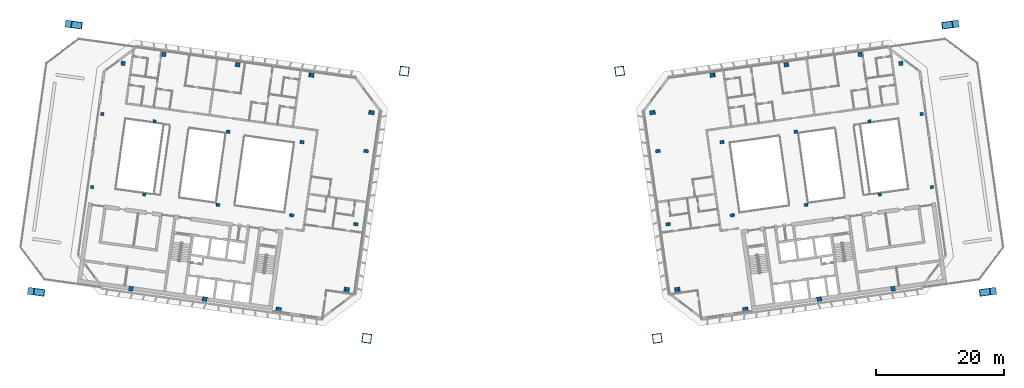
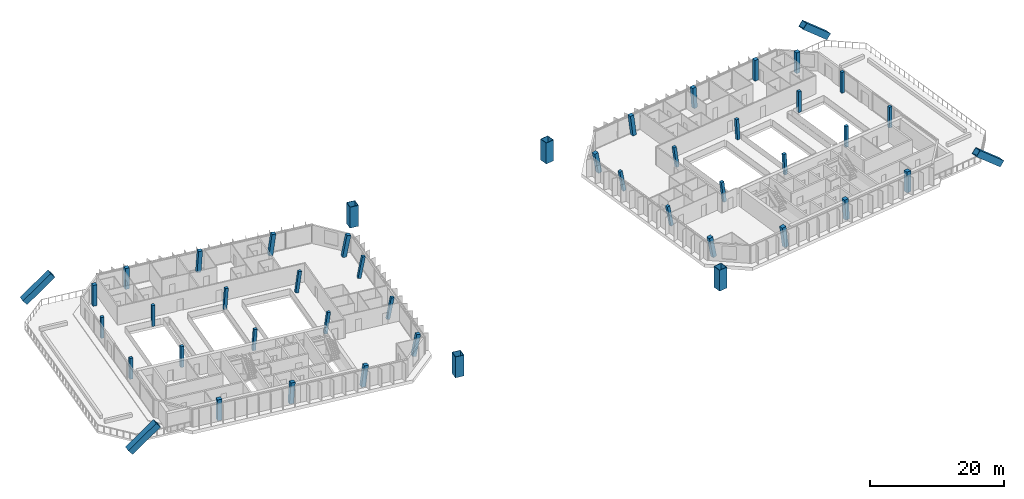
# One storey, part 1 of 19: 46 columns.
"""IFC4 building model written with IfcOpenShell, lengths in metres."""

from ifc_helpers import new_model, si_unit, direction, frame, origin, origin_2d, place, context, subcontext, project, spatial, rectangle, hollow_rectangle, extrude, material, material_profile, profile_set, type_object, element, save


model = new_model("IFC4")

# Units and contexts
model_context = context("Model", 3, precision=1e-05, world=origin(), true_north=direction((0.0, 1.0)))
body_context = subcontext(model_context, "Body", "Model", "MODEL_VIEW")
ifc_project = project(units=[si_unit("LENGTHUNIT", "METRE"), si_unit("AREAUNIT", "SQUARE_METRE"), si_unit("VOLUMEUNIT", "CUBIC_METRE"), si_unit("PLANEANGLEUNIT", "RADIAN"), si_unit("MASSUNIT", "GRAM", prefix="KILO")], contexts=[model_context])

# Site, building, storey
site_placement = place(None, origin())
site = spatial("IfcSite", under=ifc_project, at=site_placement, CompositionType="ELEMENT")
building_placement = place(site_placement, origin())
building = spatial("IfcBuilding", under=site, at=building_placement, Name="Mirante Cascada Hotel Towers", CompositionType="ELEMENT")
storey_placement = place(building_placement, frame((0.0, 0.0, 231.8)))
storey = spatial("IfcBuildingStorey", under=building, at=storey_placement, Name="L55", CompositionType="ELEMENT", Elevation=231.8)

# Columns
ifc_material_1 = material(Name="Steel ASTM A572 Gr 50", Category="steel")
ifc_material_profile_1 = material_profile(ifc_material_1, hollow_rectangle(XDim=1.1, YDim=1.1, WallThickness=0.05, at=origin_2d()), Name="Box column 1100x1100x50 ASTM A572 Gr 50")
ifc_profile_set_1 = profile_set([ifc_material_profile_1], Name="Steel ASTM A572 Gr 50")
column_type_1 = type_object("IfcColumnType", Name="Box column 1100x1100x50 ASTM A572 Gr 50", PredefinedType="COLUMN", material=ifc_profile_set_1)
for number, where, z_axis, x_axis, name in (
    (1, (-69.1638, 24.7105, 0.0), (0.7565937, -0.106336, 0.6451811), (0.1391779, 0.9902674, 0.0), "Mega column MC3 T1 L55"),
    (2, (-75.009, -16.8808, 0.0), (0.7565937, -0.106336, 0.6451811), (0.1391779, 0.9902674, 0.0), "Mega column MC4 T1 L55"),
    (3, (69.1638, 24.7105, 0.0), (-0.7565937, -0.106336, 0.6451811), (0.1391779, -0.9902674, 0.0), "Mega column MC3 T2 L55"),
    (4, (75.009, -16.8808, 0.0), (-0.7565937, -0.106336, 0.6451811), (0.1391779, -0.9902674, 0.0), "Mega column MC4 T2 L55"),
):
    element("IfcColumn", number, at=place(storey_placement, frame(where, z_axis=z_axis, x_axis=x_axis)), inside=storey, type_object=column_type_1, Name=name, PredefinedType="COLUMN", context=body_context, shape_type="SweptSolid", body=[
        extrude(hollow_rectangle(XDim=1.1, YDim=1.1, WallThickness=0.05, at=origin_2d()), origin(), (0.0, 0.0, 1.0), 5.8898),
    ])
ifc_material_2 = material(Name="Steel ASTM A572 Gr 50", Category="steel")
ifc_material_profile_2 = material_profile(ifc_material_2, hollow_rectangle(XDim=1.4, YDim=1.4, WallThickness=0.06, at=origin_2d()), Name="Box column 1400x1400x60 ASTM A572 Gr 50")
ifc_profile_set_2 = profile_set([ifc_material_profile_2], Name="Steel ASTM A572 Gr 50")
column_type_2 = type_object("IfcColumnType", Name="Box column 1400x1400x60 ASTM A572 Gr 50", PredefinedType="COLUMN", material=ifc_profile_set_2)
for number, where, z_axis, x_axis, name in (
    (5, (-16.7602, 17.3456, 0.0), (0.0, 0.0, 1.0), (-0.9902681, 0.1391731, 0.0), "Mega column MC1 T1 L55"),
    (6, (-22.6055, -24.2456, 0.0), (0.0, 0.0, 1.0), (-0.9902681, 0.1391731, 0.0), "Mega column MC2 T1 L55"),
    (7, (16.7602, 17.3456, 0.0), (0.0, 0.0, 1.0), (0.9902681, 0.1391731, 0.0), "Mega column MC1 T2 L55"),
    (8, (22.6055, -24.2456, 0.0), (0.0, 0.0, 1.0), (0.9902681, 0.1391731, 0.0), "Mega column MC2 T2 L55"),
):
    element("IfcColumn", number, at=place(storey_placement, frame(where, z_axis=z_axis, x_axis=x_axis)), inside=storey, type_object=column_type_2, Name=name, PredefinedType="COLUMN", context=body_context, shape_type="SweptSolid", body=[
        extrude(hollow_rectangle(XDim=1.4, YDim=1.4, WallThickness=0.06, at=origin_2d()), origin(), (0.0, 0.0, 1.0), 3.8),
    ])
ifc_material_3 = material(Name="Concrete C50/60", Category="concrete")
ifc_material_profile_3 = material_profile(ifc_material_3, rectangle(XDim=0.5, YDim=0.5, at=origin_2d()), Name="RC column 500x500 C50/60")
ifc_profile_set_3 = profile_set([ifc_material_profile_3], Name="Concrete C50/60")
column_type_3 = type_object("IfcColumnType", Name="RC column 500x500 C50/60", PredefinedType="COLUMN", material=ifc_profile_set_3)
for number, where, z_axis, x_axis, name in (
    (9, (-22.8282, 4.9192, 0.0039), (0.1846925, -0.025959, 0.9824535), (0.1391846, 0.9902665, 0.0), "Column T1 L55 2"),
    (10, (-24.4287, -6.4689, 0.0039), (0.1846925, -0.025959, 0.9824535), (0.1391846, 0.9902665, 0.0), "Column T1 L55 3"),
):
    element("IfcColumn", number, at=place(storey_placement, frame(where, z_axis=z_axis, x_axis=x_axis)), inside=storey, type_object=column_type_3, Name=name, PredefinedType="COLUMN", context=body_context, shape_type="SweptSolid", body=[
        extrude(rectangle(XDim=0.5, YDim=0.5, at=origin_2d()), origin(), (0.0, 0.0, 1.0), 3.8599),
    ])
for number, where, z_axis, x_axis, name in (
    (11, (-32.7626, 6.3154, 0.004), (0.1306773, -0.0183769, 0.9912546), (0.1392579, 0.9902562, 0.0), "Column T1 L55 6"),
    (12, (-34.3631, -5.0727, 0.004), (0.1306773, -0.0183508, 0.9912551), (0.1390636, 0.9902835, 0.0), "Column T1 L55 7"),
):
    element("IfcColumn", number, at=place(storey_placement, frame(where, z_axis=z_axis, x_axis=x_axis)), inside=storey, type_object=column_type_3, Name=name, PredefinedType="COLUMN", context=body_context, shape_type="SweptSolid", body=[
        extrude(rectangle(XDim=0.5, YDim=0.5, at=origin_2d()), origin(), (0.0, 0.0, 1.0), 3.8255),
    ])
for number, where, z_axis, x_axis, name in (
    (13, (-44.2037, 7.9233, 0.004), (0.0657826, -0.0092359, 0.9977912), (0.1390363, 0.9902873, 0.0), "Column T1 L55 10"),
    (14, (-45.8042, -3.4647, 0.004), (0.0657826, -0.0092622, 0.997791), (0.1394248, 0.9902327, 0.0), "Column T1 L55 11"),
):
    element("IfcColumn", number, at=place(storey_placement, frame(where, z_axis=z_axis, x_axis=x_axis)), inside=storey, type_object=column_type_3, Name=name, PredefinedType="COLUMN", context=body_context, shape_type="SweptSolid", body=[
        extrude(rectangle(XDim=0.5, YDim=0.5, at=origin_2d()), origin(), (0.0, 0.0, 1.0), 3.8004),
    ])
for number, where, z_axis, x_axis, name in (
    (15, (-55.6447, 9.5313, 0.0), (0.0, 0.0, 1.0), (-0.9902681, 0.1391731, 0.0), "Column T1 L55 14"),
    (16, (-57.2452, -1.8568, 0.0), (0.0, 0.0, 1.0), (-0.9902681, 0.1391731, 0.0), "Column T1 L55 15"),
    (17, (-63.7649, 10.6725, 0.0), (0.0, 0.0, 1.0), (-0.9902681, 0.1391731, 0.0), "Column T1 L55 18"),
    (18, (-65.3654, -0.7156, 0.0), (0.0, 0.0, 1.0), (-0.9902681, 0.1391731, 0.0), "Column T1 L55 19"),
):
    element("IfcColumn", number, at=place(storey_placement, frame(where, z_axis=z_axis, x_axis=x_axis)), inside=storey, type_object=column_type_3, Name=name, PredefinedType="COLUMN", context=body_context, shape_type="SweptSolid", body=[
        extrude(rectangle(XDim=0.5, YDim=0.5, at=origin_2d()), origin(), (0.0, 0.0, 1.0), 3.8),
    ])
for number, where, z_axis, x_axis, name in (
    (19, (22.8282, 4.9192, 0.0039), (-0.1846925, -0.025959, 0.9824535), (0.1391846, -0.9902665, 0.0), "Column T2 L55 2"),
    (20, (24.4287, -6.4689, 0.0039), (-0.1846925, -0.025959, 0.9824535), (0.1391846, -0.9902665, 0.0), "Column T2 L55 3"),
):
    element("IfcColumn", number, at=place(storey_placement, frame(where, z_axis=z_axis, x_axis=x_axis)), inside=storey, type_object=column_type_3, Name=name, PredefinedType="COLUMN", context=body_context, shape_type="SweptSolid", body=[
        extrude(rectangle(XDim=0.5, YDim=0.5, at=origin_2d()), origin(), (0.0, 0.0, 1.0), 3.8599),
    ])
for number, where, z_axis, x_axis, name in (
    (21, (32.7626, 6.3154, 0.004), (-0.1306773, -0.0183769, 0.9912546), (0.1392579, -0.9902562, 0.0), "Column T2 L55 6"),
    (22, (34.3631, -5.0727, 0.004), (-0.1306773, -0.0183508, 0.9912551), (0.1390636, -0.9902835, 0.0), "Column T2 L55 7"),
):
    element("IfcColumn", number, at=place(storey_placement, frame(where, z_axis=z_axis, x_axis=x_axis)), inside=storey, type_object=column_type_3, Name=name, PredefinedType="COLUMN", context=body_context, shape_type="SweptSolid", body=[
        extrude(rectangle(XDim=0.5, YDim=0.5, at=origin_2d()), origin(), (0.0, 0.0, 1.0), 3.8255),
    ])
for number, where, z_axis, x_axis, name in (
    (23, (44.2037, 7.9233, 0.004), (-0.0657826, -0.0092359, 0.9977912), (0.1390363, -0.9902873, 0.0), "Column T2 L55 10"),
    (24, (45.8042, -3.4647, 0.004), (-0.0657826, -0.0092622, 0.997791), (0.1394248, -0.9902327, 0.0), "Column T2 L55 11"),
):
    element("IfcColumn", number, at=place(storey_placement, frame(where, z_axis=z_axis, x_axis=x_axis)), inside=storey, type_object=column_type_3, Name=name, PredefinedType="COLUMN", context=body_context, shape_type="SweptSolid", body=[
        extrude(rectangle(XDim=0.5, YDim=0.5, at=origin_2d()), origin(), (0.0, 0.0, 1.0), 3.8004),
    ])
for number, where, z_axis, x_axis, name in (
    (25, (55.6447, 9.5313, 0.0), (0.0, 0.0, 1.0), (0.9902681, 0.1391731, 0.0), "Column T2 L55 14"),
    (26, (57.2452, -1.8568, 0.0), (0.0, 0.0, 1.0), (0.9902681, 0.1391731, 0.0), "Column T2 L55 15"),
    (27, (63.7649, 10.6725, 0.0), (0.0, 0.0, 1.0), (0.9902681, 0.1391731, 0.0), "Column T2 L55 18"),
    (28, (65.3654, -0.7156, 0.0), (0.0, 0.0, 1.0), (0.9902681, 0.1391731, 0.0), "Column T2 L55 19"),
):
    element("IfcColumn", number, at=place(storey_placement, frame(where, z_axis=z_axis, x_axis=x_axis)), inside=storey, type_object=column_type_3, Name=name, PredefinedType="COLUMN", context=body_context, shape_type="SweptSolid", body=[
        extrude(rectangle(XDim=0.5, YDim=0.5, at=origin_2d()), origin(), (0.0, 0.0, 1.0), 3.8),
    ])
ifc_material_4 = material(Name="Concrete C50/60", Category="concrete")
ifc_material_profile_4 = material_profile(ifc_material_4, rectangle(XDim=0.65, YDim=0.65, at=origin_2d()), Name="RC column 650x650 C50/60")
ifc_profile_set_4 = profile_set([ifc_material_profile_4], Name="Concrete C50/60")
column_type_4 = type_object("IfcColumnType", Name="RC column 650x650 C50/60", PredefinedType="COLUMN", material=ifc_profile_set_4)
for number, where, z_axis, x_axis, name in (
    (29, (-21.9862, 10.9103, 0.0039), (0.1846925, -0.025959, 0.9824535), (0.1391846, 0.9902665, 0.0), "Column T1 L55 1"),
    (30, (-25.8552, -16.6191, 0.0039), (0.1846925, -0.025959, 0.9824535), (0.1391846, 0.9902665, 0.0), "Column T1 L55 4"),
):
    element("IfcColumn", number, at=place(storey_placement, frame(where, z_axis=z_axis, x_axis=x_axis)), inside=storey, type_object=column_type_4, Name=name, PredefinedType="COLUMN", context=body_context, shape_type="SweptSolid", body=[
        extrude(rectangle(XDim=0.65, YDim=0.65, at=origin_2d()), origin(), (0.0, 0.0, 1.0), 3.8599),
    ])
column_1_placement = place(storey_placement, frame((-31.2978, 16.738, 0.004), z_axis=(0.1306773, -0.0183769, 0.9912546), x_axis=(0.1392579, 0.9902562, 0.0)))
element("IfcColumn", 31, at=column_1_placement, inside=storey, type_object=column_type_4, Name="Column T1 L55 5", PredefinedType="COLUMN", context=body_context, shape_type="SweptSolid", body=[
    extrude(rectangle(XDim=0.65, YDim=0.65, at=origin_2d()), origin(), (0.0, 0.0, 1.0), 3.8255),
])
column_2_placement = place(storey_placement, frame((-42.7389, 18.3459, 0.004), z_axis=(0.0657826, -0.0092359, 0.9977912), x_axis=(0.1390363, 0.9902873, 0.0)))
element("IfcColumn", 32, at=column_2_placement, inside=storey, type_object=column_type_4, Name="Column T1 L55 9", PredefinedType="COLUMN", context=body_context, shape_type="SweptSolid", body=[
    extrude(rectangle(XDim=0.65, YDim=0.65, at=origin_2d()), origin(), (0.0, 0.0, 1.0), 3.8004),
])
for number, where, z_axis, x_axis, name in (
    (33, (-54.1799, 19.9538, 0.0), (0.0, 0.0, 1.0), (-0.9902681, 0.1391731, 0.0), "Column T1 L55 13"),
    (34, (-60.5372, 18.5499, 0.0), (0.0, 0.0, 1.0), (-0.9902681, 0.1391731, 0.0), "Column T1 L55 17"),
):
    element("IfcColumn", number, at=place(storey_placement, frame(where, z_axis=z_axis, x_axis=x_axis)), inside=storey, type_object=column_type_4, Name=name, PredefinedType="COLUMN", context=body_context, shape_type="SweptSolid", body=[
        extrude(rectangle(XDim=0.65, YDim=0.65, at=origin_2d()), origin(), (0.0, 0.0, 1.0), 3.8),
    ])
for number, where, z_axis, x_axis, name in (
    (35, (21.9862, 10.9103, 0.0039), (-0.1846925, -0.025959, 0.9824535), (0.1391846, -0.9902665, 0.0), "Column T2 L55 1"),
    (36, (25.8552, -16.6191, 0.0039), (-0.1846925, -0.025959, 0.9824535), (0.1391846, -0.9902665, 0.0), "Column T2 L55 4"),
):
    element("IfcColumn", number, at=place(storey_placement, frame(where, z_axis=z_axis, x_axis=x_axis)), inside=storey, type_object=column_type_4, Name=name, PredefinedType="COLUMN", context=body_context, shape_type="SweptSolid", body=[
        extrude(rectangle(XDim=0.65, YDim=0.65, at=origin_2d()), origin(), (0.0, 0.0, 1.0), 3.8599),
    ])
column_3_placement = place(storey_placement, frame((31.2978, 16.738, 0.004), z_axis=(-0.1306773, -0.0183769, 0.9912546), x_axis=(0.1392579, -0.9902562, 0.0)))
element("IfcColumn", 37, at=column_3_placement, inside=storey, type_object=column_type_4, Name="Column T2 L55 5", PredefinedType="COLUMN", context=body_context, shape_type="SweptSolid", body=[
    extrude(rectangle(XDim=0.65, YDim=0.65, at=origin_2d()), origin(), (0.0, 0.0, 1.0), 3.8255),
])
column_4_placement = place(storey_placement, frame((42.7389, 18.3459, 0.004), z_axis=(-0.0657826, -0.0092359, 0.9977912), x_axis=(0.1390363, -0.9902873, 0.0)))
element("IfcColumn", 38, at=column_4_placement, inside=storey, type_object=column_type_4, Name="Column T2 L55 9", PredefinedType="COLUMN", context=body_context, shape_type="SweptSolid", body=[
    extrude(rectangle(XDim=0.65, YDim=0.65, at=origin_2d()), origin(), (0.0, 0.0, 1.0), 3.8004),
])
for number, where, z_axis, x_axis, name in (
    (39, (54.1799, 19.9538, 0.0), (0.0, 0.0, 1.0), (0.9902681, 0.1391731, 0.0), "Column T2 L55 13"),
    (40, (60.5372, 18.5499, 0.0), (0.0, 0.0, 1.0), (0.9902681, 0.1391731, 0.0), "Column T2 L55 17"),
):
    element("IfcColumn", number, at=place(storey_placement, frame(where, z_axis=z_axis, x_axis=x_axis)), inside=storey, type_object=column_type_4, Name=name, PredefinedType="COLUMN", context=body_context, shape_type="SweptSolid", body=[
        extrude(rectangle(XDim=0.65, YDim=0.65, at=origin_2d()), origin(), (0.0, 0.0, 1.0), 3.8),
    ])
ifc_material_5 = material(Name="Concrete C50/60", Category="concrete")
ifc_material_profile_5 = material_profile(ifc_material_5, rectangle(XDim=0.7, YDim=0.7, at=origin_2d()), Name="RC column 700x700 C50/60")
ifc_profile_set_5 = profile_set([ifc_material_profile_5], Name="Concrete C50/60")
column_type_5 = type_object("IfcColumnType", Name="RC column 700x700 C50/60", PredefinedType="COLUMN", material=ifc_profile_set_5)
column_5_placement = place(storey_placement, frame((-36.4229, -19.7286, 0.004), z_axis=(0.130703, -0.0183768, 0.9912512), x_axis=(0.1392306, 0.99026, 0.0)))
element("IfcColumn", 41, at=column_5_placement, inside=storey, type_object=column_type_5, Name="Column T1 L55 8", PredefinedType="COLUMN", context=body_context, shape_type="SweptSolid", body=[
    extrude(rectangle(XDim=0.7, YDim=0.7, at=origin_2d()), origin(), (0.0, 0.0, 1.0), 3.8255),
])
column_6_placement = place(storey_placement, frame((-47.8639, -18.1207, 0.004), z_axis=(0.0657565, -0.0092359, 0.997793), x_axis=(0.1390909, 0.9902796, 0.0)))
element("IfcColumn", 42, at=column_6_placement, inside=storey, type_object=column_type_5, Name="Column T1 L55 12", PredefinedType="COLUMN", context=body_context, shape_type="SweptSolid", body=[
    extrude(rectangle(XDim=0.7, YDim=0.7, at=origin_2d()), origin(), (0.0, 0.0, 1.0), 3.8004),
])
column_7_placement = place(storey_placement, frame((-59.305, -16.5128, 0.0), z_axis=(0.0, 0.0, 1.0), x_axis=(-0.9902681, 0.1391731, 0.0)))
element("IfcColumn", 43, at=column_7_placement, inside=storey, type_object=column_type_5, Name="Column T1 L55 16", PredefinedType="COLUMN", context=body_context, shape_type="SweptSolid", body=[
    extrude(rectangle(XDim=0.7, YDim=0.7, at=origin_2d()), origin(), (0.0, 0.0, 1.0), 3.8),
])
column_8_placement = place(storey_placement, frame((36.4229, -19.7286, 0.004), z_axis=(-0.130703, -0.0183768, 0.9912512), x_axis=(0.1392306, -0.99026, 0.0)))
element("IfcColumn", 44, at=column_8_placement, inside=storey, type_object=column_type_5, Name="Column T2 L55 8", PredefinedType="COLUMN", context=body_context, shape_type="SweptSolid", body=[
    extrude(rectangle(XDim=0.7, YDim=0.7, at=origin_2d()), origin(), (0.0, 0.0, 1.0), 3.8255),
])
column_9_placement = place(storey_placement, frame((47.8639, -18.1207, 0.004), z_axis=(-0.0657565, -0.0092359, 0.997793), x_axis=(0.1390909, -0.9902796, 0.0)))
element("IfcColumn", 45, at=column_9_placement, inside=storey, type_object=column_type_5, Name="Column T2 L55 12", PredefinedType="COLUMN", context=body_context, shape_type="SweptSolid", body=[
    extrude(rectangle(XDim=0.7, YDim=0.7, at=origin_2d()), origin(), (0.0, 0.0, 1.0), 3.8004),
])
column_10_placement = place(storey_placement, frame((59.305, -16.5128, 0.0), z_axis=(0.0, 0.0, 1.0), x_axis=(0.9902681, 0.1391731, 0.0)))
element("IfcColumn", 46, at=column_10_placement, inside=storey, type_object=column_type_5, Name="Column T2 L55 16", PredefinedType="COLUMN", context=body_context, shape_type="SweptSolid", body=[
    extrude(rectangle(XDim=0.7, YDim=0.7, at=origin_2d()), origin(), (0.0, 0.0, 1.0), 3.8),
])

save(model, "model.ifc")
